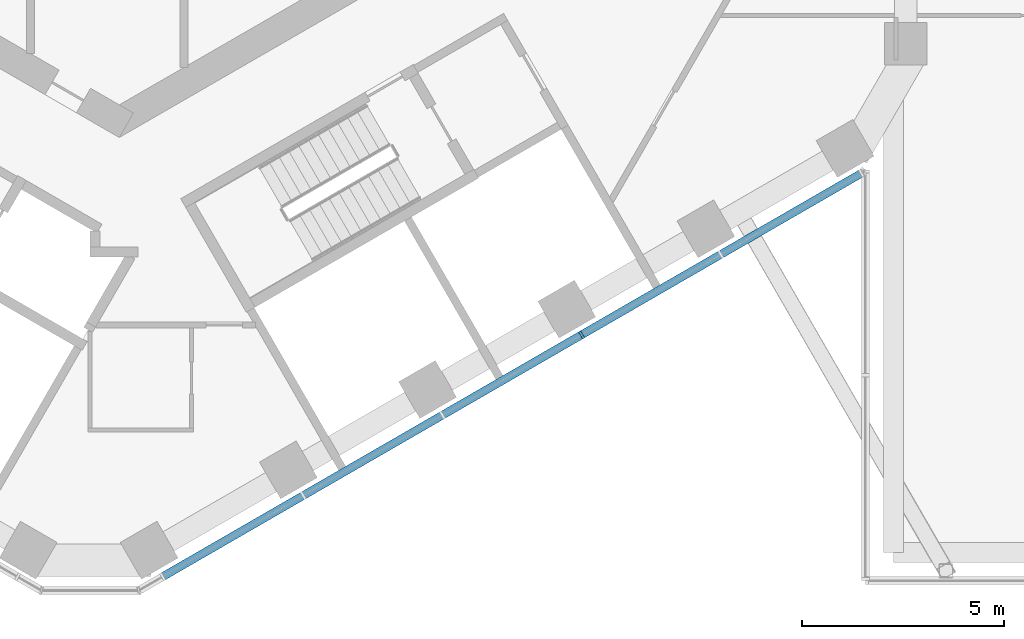
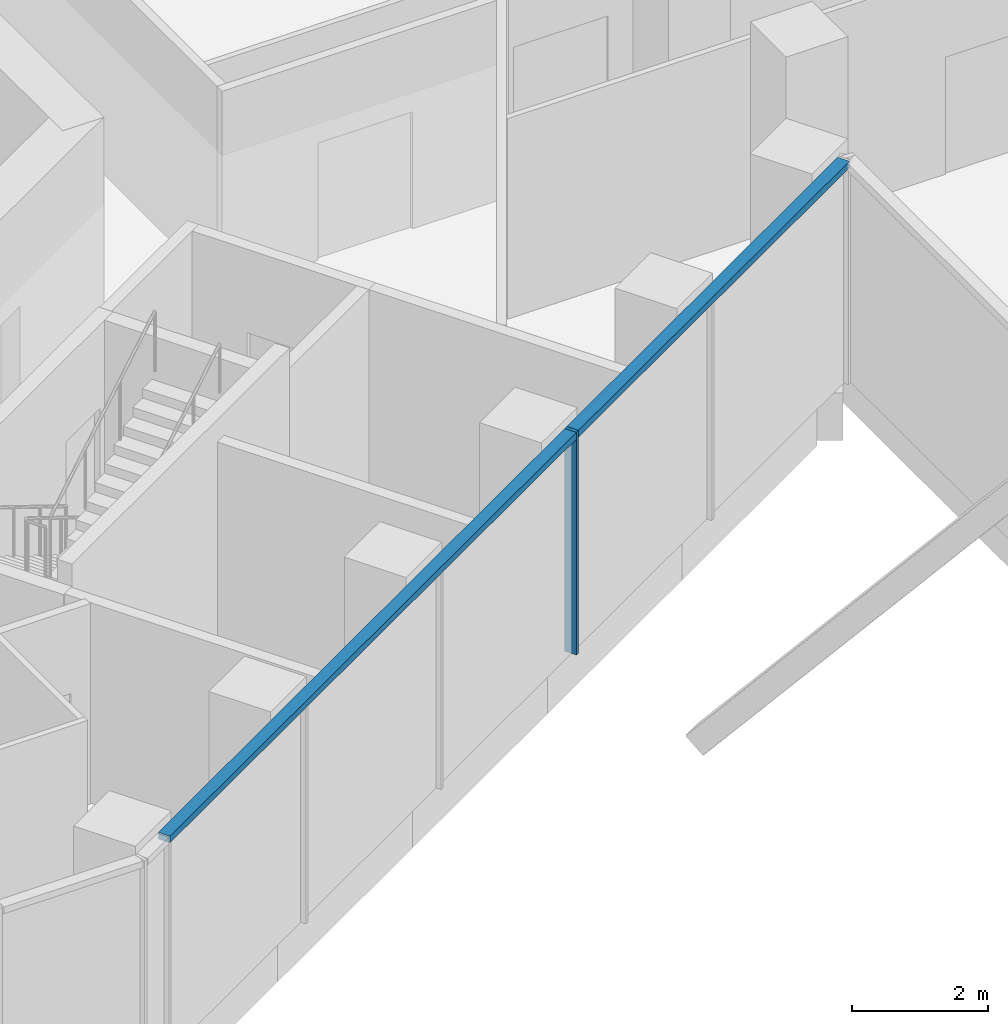
# One storey, part 3 of 24: 2 members, 1 element without a shape of its own.
"""IFC4 building model written with IfcOpenShell, lengths in metres."""

from ifc_helpers import new_model, si_unit, direction, frame, origin, origin_2d, place, context, subcontext, project, spatial, rectangle, extrude, material, layer, layer_set, material_profile, profile_set, type_object, element, aggregate, save


model = new_model("IFC4")

# Units and contexts
model_context = context("Model", 3, precision=1e-05, world=origin(), true_north=direction((0.0, 1.0)))
body_context = subcontext(model_context, "Body", "Model", "MODEL_VIEW")
ifc_project = project(units=[si_unit("LENGTHUNIT", "METRE"), si_unit("AREAUNIT", "SQUARE_METRE"), si_unit("VOLUMEUNIT", "CUBIC_METRE"), si_unit("PLANEANGLEUNIT", "RADIAN"), si_unit("MASSUNIT", "GRAM", prefix="KILO")], contexts=[model_context])

# Site, building, storey
site_placement = place(None, origin())
site = spatial("IfcSite", under=ifc_project, at=site_placement, CompositionType="ELEMENT")
building_placement = place(site_placement, origin())
building = spatial("IfcBuilding", under=site, at=building_placement, Name="Ayvan Gate Tower", CompositionType="ELEMENT")
storey_placement = place(building_placement, frame((0.0, 0.0, 124.5)))
storey = spatial("IfcBuildingStorey", under=building, at=storey_placement, Name="L33", CompositionType="ELEMENT", Elevation=124.5)

# Curtain wall, members
ifc_material = material(Name="Bronze anodised aluminium", Category="aluminium")
ifc_layer = layer(ifc_material, 0.199951171875)
ifc_layer_set = layer_set([ifc_layer], Name="Bronze anodised aluminium")
curtain_wall_type = type_object("IfcCurtainWallType", Name="Stick curtain wall CW-1", PredefinedType="NOTDEFINED", material=ifc_layer_set)
curtain_wall_placement = place(storey_placement, origin())
curtain_wall = element("IfcCurtainWall", 1, at=curtain_wall_placement, inside=storey, type_object=curtain_wall_type, Name="Stick curtain wall CW-1 L33", PredefinedType="NOTDEFINED")
ifc_material_profile_1 = material_profile(ifc_material, rectangle(XDim=0.199951171875, YDim=0.06005859375, at=origin_2d()), Name="Stick curtain wall CW-1 mullion 200 x 60")
ifc_profile_set_1 = profile_set([ifc_material_profile_1], Name="Bronze anodised aluminium")
member_type_1 = type_object("IfcMemberType", Name="Stick curtain wall CW-1 mullion 200 x 60", PredefinedType="MULLION", material=ifc_profile_set_1)
member_1_placement = place(storey_placement, frame((11.455322265625, -15.860107421875, 0.0), z_axis=(0.0, 0.0, 1.0), x_axis=(0.5, -0.866025403784, 0.0)))
member_1 = element("IfcMember", 2, at=member_1_placement, type_object=member_type_1, Name="CW-1 mullion 4", PredefinedType="MULLION", context=body_context, shape_type="SweptSolid", body=[
    extrude(rectangle(XDim=0.199951171875, YDim=0.06005859375, at=origin_2d()), origin(), (0.0, 0.0, 1.0), 4.0),
])
ifc_material_profile_2 = material_profile(ifc_material, rectangle(XDim=0.199951171875, YDim=0.1201171875, at=origin_2d()), Name="Stick curtain wall CW-1 transom 200 x 120")
ifc_profile_set_2 = profile_set([ifc_material_profile_2], Name="Bronze anodised aluminium")
member_type_2 = type_object("IfcMemberType", Name="Stick curtain wall CW-1 transom 200 x 120", PredefinedType="USERDEFINED", material=ifc_profile_set_2)
member_2_placement = place(storey_placement, frame((1.073486328125, -21.85400390625, 3.93994140625), z_axis=(0.866026171446, 0.499998670368, 0.0), x_axis=(-0.499998670368, 0.866026171446, 0.0)))
member_2 = element("IfcMember", 3, at=member_2_placement, type_object=member_type_2, Name="CW-1 transom 1", ObjectType="TRANSOM", PredefinedType="USERDEFINED", context=body_context, shape_type="SweptSolid", body=[
    extrude(rectangle(XDim=0.199951171875, YDim=0.1201171875, at=origin_2d()), origin(), (0.0, 0.0, 1.0), 19.99462890625),
])
aggregate(curtain_wall, [member_1, member_2])

save(model, "model.ifc")
